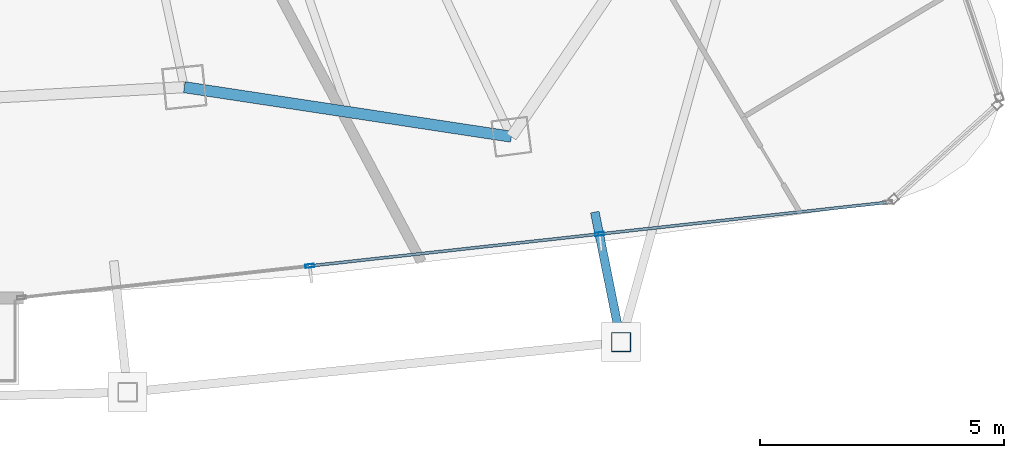
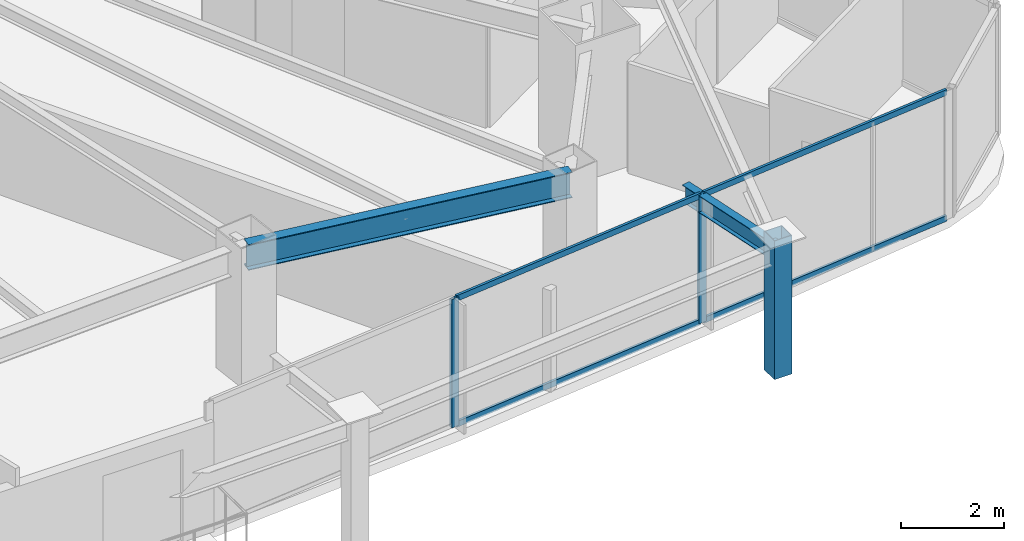
# One storey, part 12 of 33: 7 members, 2 beams, 1 element without a shape of its own.
"""IFC4 building model written with IfcOpenShell, lengths in metres."""

from ifc_helpers import new_model, si_unit, direction, frame, origin, origin_2d, place, context, subcontext, project, spatial, hollow_rectangle, i_section, extrude, material, layer, layer_set, material_profile, profile_set, type_object, element, aggregate, save


model = new_model("IFC4")

# Units and contexts
model_context = context("Model", 3, precision=1e-05, world=origin(), true_north=direction((0.0, 1.0)))
body_context = subcontext(model_context, "Body", "Model", "MODEL_VIEW")
ifc_project = project(units=[si_unit("LENGTHUNIT", "METRE"), si_unit("AREAUNIT", "SQUARE_METRE"), si_unit("VOLUMEUNIT", "CUBIC_METRE"), si_unit("PLANEANGLEUNIT", "RADIAN"), si_unit("MASSUNIT", "GRAM", prefix="KILO")], contexts=[model_context])

# Site, building, storey
site_placement = place(None, origin())
site = spatial("IfcSite", under=ifc_project, at=site_placement, CompositionType="ELEMENT")
building_placement = place(site_placement, origin())
building = spatial("IfcBuilding", under=site, at=building_placement, Name="Orvanel Arch Residences", CompositionType="ELEMENT")
storey_placement = place(building_placement, frame((0.0, 0.0, 123.199951171875)))
storey = spatial("IfcBuildingStorey", under=building, at=storey_placement, Name="L34", CompositionType="ELEMENT", Elevation=123.199951171875)

# Curtain wall, members
ifc_material_1 = material(Name="Bronze-anodised aluminium AA6063-T6", Category="aluminium")
ifc_layer = layer(ifc_material_1, 0.179931640625)
ifc_layer_set = layer_set([ifc_layer], Name="Bronze-anodised aluminium AA6063-T6")
curtain_wall_type = type_object("IfcCurtainWallType", Name="CW3-MID-SYS", PredefinedType="NOTDEFINED", material=ifc_layer_set)
curtain_wall_placement = place(storey_placement, origin())
curtain_wall = element("IfcCurtainWall", 1, at=curtain_wall_placement, inside=storey, type_object=curtain_wall_type, Name="L34 CW3-MID-SYS Unitised Curtain Wall", PredefinedType="NOTDEFINED")
ifc_material_profile_1 = material_profile(ifc_material_1, hollow_rectangle(XDim=0.070068359375, YDim=0.179931640625, WallThickness=0.00439453125, at=origin_2d()), Name="ALU180x70x4.5")
ifc_profile_set_1 = profile_set([ifc_material_profile_1], Name="Bronze-anodised aluminium AA6063-T6")
member_type_1 = type_object("IfcMemberType", Name="MUL-180x70", PredefinedType="MULLION", material=ifc_profile_set_1)
member_1_placement = place(storey_placement, frame((44.92431640625, 3.689453125, 0.0), z_axis=(0.0, 0.0, 1.0), x_axis=(-0.109397745116, 0.99399805501, 0.0)))
member_1 = element("IfcMember", 2, at=member_1_placement, type_object=member_type_1, Name="CW-S3 mullion 2", PredefinedType="MULLION", context=body_context, shape_type="SweptSolid", body=[
    extrude(hollow_rectangle(XDim=0.070068359375, YDim=0.179931640625, WallThickness=0.00439453125, at=origin_2d()), origin(), (0.0, 0.0, 1.0), 3.06005859375),
])
member_2_placement = place(storey_placement, frame((50.86962890625, 4.34375, 0.0), z_axis=(0.0, 0.0, 1.0), x_axis=(-0.109397745116, 0.99399805501, 0.0)))
member_2 = element("IfcMember", 3, at=member_2_placement, type_object=member_type_1, Name="CW-S3 mullion 3", PredefinedType="MULLION", context=body_context, shape_type="SweptSolid", body=[
    extrude(hollow_rectangle(XDim=0.070068359375, YDim=0.179931640625, WallThickness=0.00439453125, at=origin_2d()), origin(), (0.0, 0.0, 1.0), 3.06005859375),
])

# Beams
ifc_material_2 = material(Name="Structural steel AS/NZS 3679.1 Grade 300 (300 MPa)", Category="steel")
ifc_material_profile_2 = material_profile(ifc_material_2, i_section(OverallWidth=0.177978515625, OverallDepth=0.406005859375, WebThickness=0.0078125, FlangeThickness=0.0126953125, at=origin_2d()), Name="410UB59.7")
ifc_profile_set_2 = profile_set([ifc_material_profile_2], Name="Structural steel AS/NZS 3679.1 Grade 300 (300 MPa)")
beam_type_1 = type_object("IfcBeamType", Name="OB-410UB-EXT", PredefinedType="SPANDREL", material=ifc_profile_set_2)
beam_1_placement = place(storey_placement, frame((50.77001953125, 4.79296875, 2.85693359375), z_axis=(0.198047657535, -0.980192392005, 0.0), x_axis=(0.980192392005, 0.198047657535, 0.0)))
element("IfcBeam", 4, at=beam_1_placement, inside=storey, type_object=beam_type_1, Name="L34 Outer Frame Radial Tie Beam 08", PredefinedType="SPANDREL", context=body_context, shape_type="SweptSolid", body=[
    extrude(i_section(OverallWidth=0.177978515625, OverallDepth=0.406005859375, WebThickness=0.0078125, FlangeThickness=0.0126953125, at=origin_2d()), origin(), (0.0, 0.0, 1.0), 2.721923828125),
])
ifc_material_profile_3 = material_profile(ifc_material_2, i_section(OverallWidth=0.22900390625, OverallDepth=0.612060546875, WebThickness=0.011962890625, FlangeThickness=0.01953125, at=origin_2d()), Name="610UB125")
ifc_profile_set_3 = profile_set([ifc_material_profile_3], Name="Structural steel AS/NZS 3679.1 Grade 300 (300 MPa)")
beam_type_2 = type_object("IfcBeamType", Name="SP-610UB", PredefinedType="SPANDREL", material=ifc_profile_set_3)
beam_2_placement = place(storey_placement, frame((42.35107421875, 7.35498046875, 2.754150390625), z_axis=(0.988726323014, -0.149733958002, 0.0), x_axis=(0.149733958002, 0.988726323014, 0.0)))
element("IfcBeam", 5, at=beam_2_placement, inside=storey, type_object=beam_type_2, Name="L34 Perimeter Spandrel Beam 07", PredefinedType="SPANDREL", context=body_context, shape_type="SweptSolid", body=[
    extrude(i_section(OverallWidth=0.22900390625, OverallDepth=0.612060546875, WebThickness=0.011962890625, FlangeThickness=0.01953125, at=origin_2d()), origin(), (0.0, 0.0, 1.0), 6.784423828125),
])

# Member
ifc_material_3 = material(Name="Structural steel AS/NZS 1163 C450L0 (Grade 450)", Category="steel")
ifc_material_profile_4 = material_profile(ifc_material_3, hollow_rectangle(XDim=0.39990234375, YDim=0.39990234375, WallThickness=0.01611328125, at=origin_2d()), Name="SHS400x400x16")
ifc_profile_set_4 = profile_set([ifc_material_profile_4], Name="Structural steel AS/NZS 1163 C450L0 (Grade 450)")
member_type_2 = type_object("IfcMemberType", Name="ST-400SHS-EXT", PredefinedType="STRUT", material=ifc_profile_set_4)
member_3_placement = place(storey_placement, frame((51.30908203125, 2.125, 0.0), z_axis=(0.0, 0.0, 1.0), x_axis=(1.0, 0.0, 0.0)))
element("IfcMember", 6, at=member_3_placement, inside=storey, type_object=member_type_2, Name="L34 Outer Perimeter Frame Post 08", PredefinedType="STRUT", context=body_context, shape_type="SweptSolid", body=[
    extrude(hollow_rectangle(XDim=0.39990234375, YDim=0.39990234375, WallThickness=0.01611328125, at=origin_2d()), origin(), (0.0, 0.0, 1.0), 3.300048828125),
])

ifc_material_profile_5 = material_profile(ifc_material_1, hollow_rectangle(XDim=0.06005859375, YDim=0.135009765625, WallThickness=0.00390625, at=origin_2d()), Name="ALU135x60x4")
ifc_profile_set_5 = profile_set([ifc_material_profile_5], Name="Bronze-anodised aluminium AA6063-T6")
member_type_3 = type_object("IfcMemberType", Name="TRN-135x60", PredefinedType="USERDEFINED", material=ifc_profile_set_5)
member_4_placement = place(storey_placement, frame((44.959228515625, 3.693115234375, 0.030029296875), z_axis=(0.99399703693, 0.10940699509, 0.0), x_axis=(-0.10940699509, 0.99399703693, 0.0)))
member_4 = element("IfcMember", 7, at=member_4_placement, type_object=member_type_3, Name="CW-S3 transom 2.1", ObjectType="TRANSOM", PredefinedType="USERDEFINED", context=body_context, shape_type="SweptSolid", body=[
    extrude(hollow_rectangle(XDim=0.06005859375, YDim=0.135009765625, WallThickness=0.00390625, at=origin_2d()), origin(), (0.0, 0.0, 1.0), 5.9111328125),
])

member_5_placement = place(storey_placement, frame((44.959228515625, 3.693115234375, 3.030029296875), z_axis=(0.99399703693, 0.10940699509, 0.0), x_axis=(-0.10940699509, 0.99399703693, 0.0)))
member_5 = element("IfcMember", 8, at=member_5_placement, type_object=member_type_3, Name="CW-S3 transom 2.2", ObjectType="TRANSOM", PredefinedType="USERDEFINED", context=body_context, shape_type="SweptSolid", body=[
    extrude(hollow_rectangle(XDim=0.06005859375, YDim=0.135009765625, WallThickness=0.00390625, at=origin_2d()), origin(), (0.0, 0.0, 1.0), 5.9111328125),
])

member_6_placement = place(storey_placement, frame((50.904541015625, 4.347412109375, 0.030029296875), z_axis=(0.993998213072, 0.109396308937, 0.0), x_axis=(-0.109396308937, 0.993998213072, 0.0)))
member_6 = element("IfcMember", 9, at=member_6_placement, type_object=member_type_3, Name="CW-S3 transom 3.1", ObjectType="TRANSOM", PredefinedType="USERDEFINED", context=body_context, shape_type="SweptSolid", body=[
    extrude(hollow_rectangle(XDim=0.06005859375, YDim=0.135009765625, WallThickness=0.00390625, at=origin_2d()), origin(), (0.0, 0.0, 1.0), 5.8759765625),
])

member_7_placement = place(storey_placement, frame((50.904541015625, 4.347412109375, 3.030029296875), z_axis=(0.993998213072, 0.109396308937, 0.0), x_axis=(-0.109396308937, 0.993998213072, 0.0)))
member_7 = element("IfcMember", 10, at=member_7_placement, type_object=member_type_3, Name="CW-S3 transom 3.2", ObjectType="TRANSOM", PredefinedType="USERDEFINED", context=body_context, shape_type="SweptSolid", body=[
    extrude(hollow_rectangle(XDim=0.06005859375, YDim=0.135009765625, WallThickness=0.00390625, at=origin_2d()), origin(), (0.0, 0.0, 1.0), 5.8759765625),
])

aggregate(curtain_wall, [member_1, member_2, member_4, member_5, member_6, member_7])

save(model, "model.ifc")
